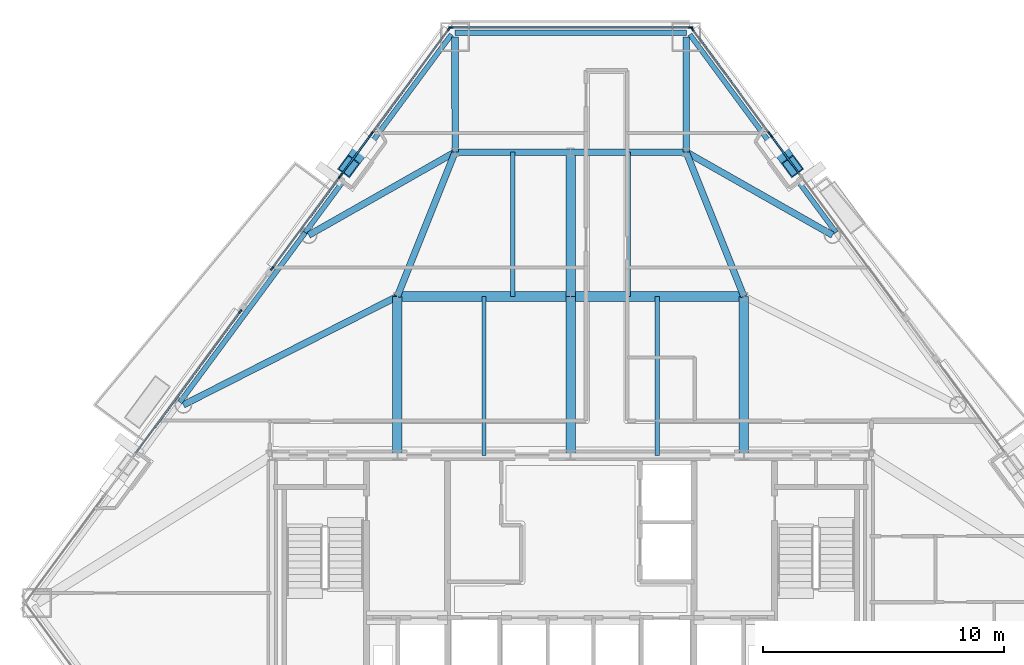
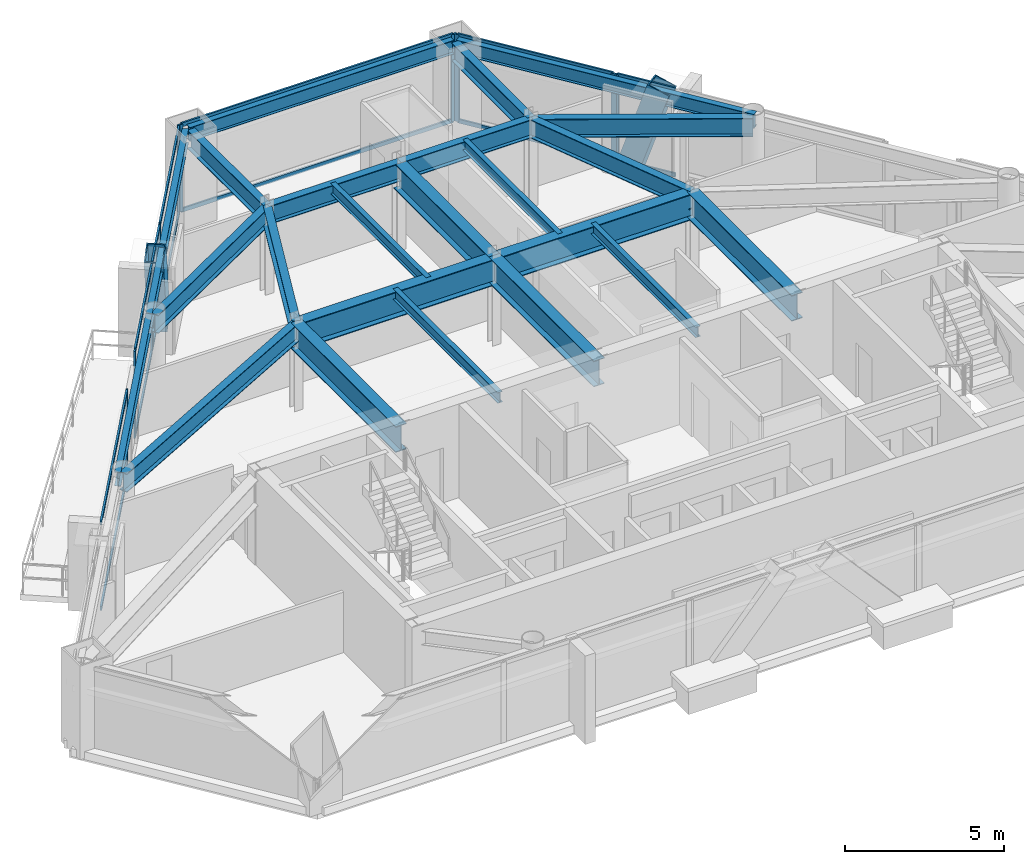
# One storey, part 4 of 11: 28 members, 23 beams, 7 elements without a shape of their own.
"""IFC4 building model written with IfcOpenShell, lengths in metres."""

from ifc_helpers import new_model, si_unit, direction, frame, origin, origin_2d, place, context, subcontext, project, spatial, rectangle, hollow_rectangle, i_section, extrude, material, layer, layer_set, material_profile, profile_set, type_object, element, aggregate, save


model = new_model("IFC4")

# Units and contexts
model_context = context("Model", 3, precision=1e-05, world=origin(), true_north=direction((0.0, 1.0)))
body_context = subcontext(model_context, "Body", "Model", "MODEL_VIEW")
ifc_project = project(units=[si_unit("LENGTHUNIT", "METRE"), si_unit("AREAUNIT", "SQUARE_METRE"), si_unit("VOLUMEUNIT", "CUBIC_METRE"), si_unit("PLANEANGLEUNIT", "RADIAN"), si_unit("MASSUNIT", "GRAM", prefix="KILO")], contexts=[model_context])

# Site, building, storey
site_placement = place(None, origin())
site = spatial("IfcSite", under=ifc_project, at=site_placement, CompositionType="ELEMENT")
building_placement = place(site_placement, origin())
building = spatial("IfcBuilding", under=site, at=building_placement, Name="Talgorran Terracotta Tower", CompositionType="ELEMENT")
storey_placement = place(building_placement, frame((0.0, 0.0, 147.300048828125)))
storey = spatial("IfcBuildingStorey", under=building, at=storey_placement, Name="L38", CompositionType="ELEMENT", Elevation=147.300048828125)

# Beams
ifc_material_1 = material(Name="Steel Grade 350 (350L0)", Category="steel")
ifc_material_profile_1 = material_profile(ifc_material_1, i_section(OverallWidth=0.39990234375, OverallDepth=1.0, WebThickness=0.01611328125, FlangeThickness=0.031005859375, at=origin_2d()), Name="1000WB296")
ifc_profile_set_1 = profile_set([ifc_material_profile_1], Name="Steel Grade 350 (350L0)")
beam_type_1 = type_object("IfcBeamType", Name="BM_1000WB296", PredefinedType="BEAM", material=ifc_profile_set_1)
for number, where, z_axis, x_axis, name in (
    (1, (-7.199951171875, -4.199951171875, 2.849853515625), (0.0, 1.0, 0.0), (-1.0, 0.0, 0.0), "L38 Floor Girder G01"),
    (2, (0.0, -4.199951171875, 2.849853515625), (0.0, 1.0, 0.0), (-1.0, 0.0, 0.0), "L38 Floor Girder G02"),
    (3, (7.199951171875, -4.199951171875, 2.849853515625), (0.0, 1.0, 0.0), (-1.0, 0.0, 0.0), "L38 Floor Girder G03"),
):
    element("IfcBeam", number, at=place(storey_placement, frame(where, z_axis=z_axis, x_axis=x_axis)), inside=storey, type_object=beam_type_1, Name=name, PredefinedType="BEAM", context=body_context, shape_type="SweptSolid", body=[
        extrude(i_section(OverallWidth=0.39990234375, OverallDepth=1.0, WebThickness=0.01611328125, FlangeThickness=0.031005859375, at=origin_2d()), origin(), (0.0, 0.0, 1.0), 6.599853515625),
    ])
for number, where, z_axis, x_axis, name in (
    (4, (-7.199951171875, 2.39990234375, 2.849853515625), (1.0, 0.0, 0.0), (0.0, 1.0, 0.0), "L38 Floor Girder G04"),
    (5, (0.0, 2.39990234375, 2.849853515625), (1.0, 0.0, 0.0), (0.0, 1.0, 0.0), "L38 Floor Girder G05"),
):
    element("IfcBeam", number, at=place(storey_placement, frame(where, z_axis=z_axis, x_axis=x_axis)), inside=storey, type_object=beam_type_1, Name=name, PredefinedType="BEAM", context=body_context, shape_type="SweptSolid", body=[
        extrude(i_section(OverallWidth=0.39990234375, OverallDepth=1.0, WebThickness=0.01611328125, FlangeThickness=0.031005859375, at=origin_2d()), origin(), (0.0, 0.0, 1.0), 7.199951171875),
    ])
beam_1_placement = place(storey_placement, frame((0.0, 2.39990234375, 2.849853515625), z_axis=(0.0, 1.0, 0.0), x_axis=(-1.0, 0.0, 0.0)))
element("IfcBeam", 6, at=beam_1_placement, inside=storey, type_object=beam_type_1, Name="L38 Floor Girder G09", PredefinedType="BEAM", context=body_context, shape_type="SweptSolid", body=[
    extrude(i_section(OverallWidth=0.39990234375, OverallDepth=1.0, WebThickness=0.01611328125, FlangeThickness=0.031005859375, at=origin_2d()), origin(), (0.0, 0.0, 1.0), 6.0),
])
ifc_material_2 = material(Name="Steel S355 (300PLUS)", Category="steel")
ifc_material_profile_2 = material_profile(ifc_material_2, i_section(OverallWidth=0.27490234375, OverallDepth=0.7080078125, WebThickness=0.011962890625, FlangeThickness=0.02490234375, at=origin_2d()), Name="700WB173")
ifc_profile_set_2 = profile_set([ifc_material_profile_2], Name="Steel S355 (300PLUS)")
beam_type_2 = type_object("IfcBeamType", Name="BM_700WB173", PredefinedType="BEAM", material=ifc_profile_set_2)
beam_2_placement = place(storey_placement, frame((-7.199951171875, 2.39990234375, 2.995849609375), z_axis=(-0.892122666424, -0.451793258087, 0.0), x_axis=(0.451793258087, -0.892122666424, 0.0)))
element("IfcBeam", 7, at=beam_2_placement, inside=storey, type_object=beam_type_2, Name="L38 Floor Girder G06", PredefinedType="BEAM", context=body_context, shape_type="SweptSolid", body=[
    extrude(i_section(OverallWidth=0.27490234375, OverallDepth=0.7080078125, WebThickness=0.011962890625, FlangeThickness=0.02490234375, at=origin_2d()), origin(), (0.0, 0.0, 1.0), 9.966796875),
])
for number, where, z_axis, x_axis, name in (
    (8, (-7.199951171875, 2.39990234375, 2.995849609375), (0.371377648723, 0.928481901832, 0.0), (-0.928481901832, 0.371377648723, 0.0), "L38 Floor Girder G08"),
    (9, (7.199951171875, 2.39990234375, 2.995849609375), (-0.371377648723, 0.928481901832, 0.0), (-0.928481901832, -0.371377648723, 0.0), "L38 Floor Girder G10"),
):
    element("IfcBeam", number, at=place(storey_placement, frame(where, z_axis=z_axis, x_axis=x_axis)), inside=storey, type_object=beam_type_2, Name=name, PredefinedType="BEAM", context=body_context, shape_type="SweptSolid", body=[
        extrude(i_section(OverallWidth=0.27490234375, OverallDepth=0.7080078125, WebThickness=0.011962890625, FlangeThickness=0.02490234375, at=origin_2d()), origin(), (0.0, 0.0, 1.0), 6.462158203125),
    ])
for number, where, z_axis, x_axis, name in (
    (10, (-4.800048828125, 8.39990234375, 2.995849609375), (1.0, 0.0, 0.0), (0.0, 1.0, 0.0), "L38 Floor Girder G11"),
    (11, (0.0, 8.39990234375, 2.995849609375), (1.0, 0.0, 0.0), (0.0, 1.0, 0.0), "L38 Floor Girder G12"),
):
    element("IfcBeam", number, at=place(storey_placement, frame(where, z_axis=z_axis, x_axis=x_axis)), inside=storey, type_object=beam_type_2, Name=name, PredefinedType="BEAM", context=body_context, shape_type="SweptSolid", body=[
        extrude(i_section(OverallWidth=0.27490234375, OverallDepth=0.7080078125, WebThickness=0.011962890625, FlangeThickness=0.02490234375, at=origin_2d()), origin(), (0.0, 0.0, 1.0), 4.800048828125),
    ])
for number, where, z_axis, x_axis, name in (
    (12, (-4.800048828125, 8.39990234375, 2.995849609375), (-0.869819954878, -0.493369279644, 0.0), (0.493369279644, -0.869819954878, 0.0), "L38 Floor Girder G13"),
    (13, (4.800048828125, 8.39990234375, 2.995849609375), (0.869819954878, -0.493369279644, 0.0), (0.493369279644, 0.869819954878, 0.0), "L38 Floor Girder G14"),
):
    element("IfcBeam", number, at=place(storey_placement, frame(where, z_axis=z_axis, x_axis=x_axis)), inside=storey, type_object=beam_type_2, Name=name, PredefinedType="BEAM", context=body_context, shape_type="SweptSolid", body=[
        extrude(i_section(OverallWidth=0.27490234375, OverallDepth=0.7080078125, WebThickness=0.011962890625, FlangeThickness=0.02490234375, at=origin_2d()), origin(), (0.0, 0.0, 1.0), 6.9931640625),
    ])
for number, where, z_axis, x_axis, name in (
    (14, (-4.800048828125, 8.39990234375, 2.995849609375), (-0.001277399193, 0.999999184125, 0.0), (-0.999999184125, -0.001277399193, 0.0), "L38 Floor Girder G15"),
    (15, (4.800048828125, 8.39990234375, 2.995849609375), (0.001277399193, 0.999999184125, 0.0), (-0.999999184125, 0.001277399193, 0.0), "L38 Floor Girder G16"),
):
    element("IfcBeam", number, at=place(storey_placement, frame(where, z_axis=z_axis, x_axis=x_axis)), inside=storey, type_object=beam_type_2, Name=name, PredefinedType="BEAM", context=body_context, shape_type="SweptSolid", body=[
        extrude(i_section(OverallWidth=0.27490234375, OverallDepth=0.7080078125, WebThickness=0.011962890625, FlangeThickness=0.02490234375, at=origin_2d()), origin(), (0.0, 0.0, 1.0), 4.778076171875),
    ])
ifc_material_profile_3 = material_profile(ifc_material_2, i_section(OverallWidth=0.177734375, OverallDepth=0.406494140625, WebThickness=0.0078125, FlangeThickness=0.0126953125, at=origin_2d()), Name="410UB59.7")
ifc_profile_set_3 = profile_set([ifc_material_profile_3], Name="Steel S355 (300PLUS)")
beam_type_3 = type_object("IfcBeamType", Name="BM_JS_410UB60", PredefinedType="JOIST", material=ifc_profile_set_3)
for number, where, z_axis, x_axis, name in (
    (16, (-3.60009765625, -4.199951171875, 3.146728515625), (0.0, 1.0, 0.0), (-1.0, 0.0, 0.0), "L38 Secondary Joist J01"),
    (17, (3.60009765625, -4.199951171875, 3.146728515625), (0.0, 1.0, 0.0), (-1.0, 0.0, 0.0), "L38 Secondary Joist J02"),
):
    element("IfcBeam", number, at=place(storey_placement, frame(where, z_axis=z_axis, x_axis=x_axis)), inside=storey, type_object=beam_type_3, Name=name, PredefinedType="JOIST", context=body_context, shape_type="SweptSolid", body=[
        extrude(i_section(OverallWidth=0.177734375, OverallDepth=0.406494140625, WebThickness=0.0078125, FlangeThickness=0.0126953125, at=origin_2d()), origin(), (0.0, 0.0, 1.0), 6.599853515625),
    ])
for number, where, z_axis, x_axis, name in (
    (18, (-2.39990234375, 2.39990234375, 3.146728515625), (0.0, 1.0, 0.0), (-1.0, 0.0, 0.0), "L38 Secondary Joist J03"),
    (19, (2.39990234375, 2.39990234375, 3.146728515625), (0.0, 1.0, 0.0), (-1.0, 0.0, 0.0), "L38 Secondary Joist J04"),
):
    element("IfcBeam", number, at=place(storey_placement, frame(where, z_axis=z_axis, x_axis=x_axis)), inside=storey, type_object=beam_type_3, Name=name, PredefinedType="JOIST", context=body_context, shape_type="SweptSolid", body=[
        extrude(i_section(OverallWidth=0.177734375, OverallDepth=0.406494140625, WebThickness=0.0078125, FlangeThickness=0.0126953125, at=origin_2d()), origin(), (0.0, 0.0, 1.0), 6.0),
    ])
ifc_material_profile_4 = material_profile(ifc_material_2, i_section(OverallWidth=0.209228515625, OverallDepth=0.532958984375, WebThickness=0.01025390625, FlangeThickness=0.015625, at=origin_2d()), Name="530UB92.4")
ifc_profile_set_4 = profile_set([ifc_material_profile_4], Name="Steel S355 (300PLUS)")
beam_type_4 = type_object("IfcBeamType", Name="BM_SP_530UB92", PredefinedType="SPANDREL", material=ifc_profile_set_4)
beam_3_placement = place(storey_placement, frame((11.027587890625, 5.056640625, 3.08349609375), z_axis=(-0.594068215055, 0.804414666613, 0.0), x_axis=(-0.804414666613, -0.594068215055, 0.0)))
element("IfcBeam", 20, at=beam_3_placement, inside=storey, type_object=beam_type_4, Name="L38 Perimeter Spandrel Beam FC4-MC5", PredefinedType="SPANDREL", context=body_context, shape_type="SweptSolid", body=[
    extrude(i_section(OverallWidth=0.209228515625, OverallDepth=0.532958984375, WebThickness=0.01025390625, FlangeThickness=0.015625, at=origin_2d()), origin(), (0.0, 0.0, 1.0), 10.22900390625),
])
beam_4_placement = place(storey_placement, frame((4.80615234375, 13.35791015625, 3.08349609375), z_axis=(-1.0, 0.0, 0.0), x_axis=(0.0, -1.0, 0.0)))
element("IfcBeam", 21, at=beam_4_placement, inside=storey, type_object=beam_type_4, Name="L38 Perimeter Spandrel Beam MC5-MC6", PredefinedType="SPANDREL", context=body_context, shape_type="SweptSolid", body=[
    extrude(i_section(OverallWidth=0.209228515625, OverallDepth=0.532958984375, WebThickness=0.01025390625, FlangeThickness=0.015625, at=origin_2d()), origin(), (0.0, 0.0, 1.0), 9.6123046875),
])
beam_5_placement = place(storey_placement, frame((-4.950927734375, 13.284912109375, 3.08349609375), z_axis=(-0.594068215055, -0.804414666613, 0.0), x_axis=(0.804414666613, -0.594068215055, 0.0)))
element("IfcBeam", 22, at=beam_5_placement, inside=storey, type_object=beam_type_4, Name="L38 Perimeter Spandrel Beam MC6-FC5", PredefinedType="SPANDREL", context=body_context, shape_type="SweptSolid", body=[
    extrude(i_section(OverallWidth=0.209228515625, OverallDepth=0.532958984375, WebThickness=0.01025390625, FlangeThickness=0.015625, at=origin_2d()), origin(), (0.0, 0.0, 1.0), 10.22900390625),
])
beam_6_placement = place(storey_placement, frame((-11.027587890625, 5.056640625, 3.08349609375), z_axis=(-0.594084887131, -0.804402353852, 0.0), x_axis=(0.804402353852, -0.594084887131, 0.0)))
element("IfcBeam", 23, at=beam_6_placement, inside=storey, type_object=beam_type_4, Name="L38 Perimeter Spandrel Beam FC5-FC6", PredefinedType="SPANDREL", context=body_context, shape_type="SweptSolid", body=[
    extrude(i_section(OverallWidth=0.209228515625, OverallDepth=0.532958984375, WebThickness=0.01025390625, FlangeThickness=0.015625, at=origin_2d()), origin(), (0.0, 0.0, 1.0), 8.767578125),
])

# Members
ifc_material_profile_5 = material_profile(ifc_material_1, hollow_rectangle(XDim=0.6201171875, YDim=0.780029296875, WallThickness=0.0419921875, at=origin_2d()), Name="WBOX780X620X42")
ifc_profile_set_5 = profile_set([ifc_material_profile_5], Name="Steel Grade 350 (350L0)")
member_type_1 = type_object("IfcMemberType", Name="MB_MEGA_780", PredefinedType="BRACE", material=ifc_profile_set_5)
for number, where, z_axis, x_axis, name in (
    (24, (8.56640625, 8.6923828125, -0.025146484375), (0.182509802878, -0.247150114942, 0.951633854241), (0.80443490203, 0.594040813747, 0.0), "L38 Exterior Face Mega-Brace MB-2 (NEU)"),
    (25, (-8.56640625, 8.6923828125, -0.025146484375), (-0.182509802878, -0.247150114942, 0.951633854241), (0.80443490203, -0.594040813747, 0.0), "L38 Exterior Face Mega-Brace MB-2 (NWU)"),
):
    element("IfcMember", number, at=place(storey_placement, frame(where, z_axis=z_axis, x_axis=x_axis)), inside=storey, type_object=member_type_1, Name=name, PredefinedType="BRACE", context=body_context, shape_type="SweptSolid", body=[
        extrude(hollow_rectangle(XDim=0.6201171875, YDim=0.780029296875, WallThickness=0.0419921875, at=origin_2d()), origin(), (0.0, 0.0, 1.0), 3.572998046875),
    ])

# Curtain wall, member
ifc_material_3 = material(Name="Unitised Low-E Double Glazing", Category="glass")
ifc_layer = layer(ifc_material_3, 0.199951171875, Name="CW_SYS2_RES_LOW")
ifc_layer_set = layer_set([ifc_layer], Name="Unitised Low-E Double Glazing")
curtain_wall_type = type_object("IfcCurtainWallType", Name="CW_SYS2_RES_LOW", PredefinedType="NOTDEFINED", material=ifc_layer_set)
curtain_wall_1_placement = place(storey_placement, origin())
curtain_wall_1 = element("IfcCurtainWall", 26, at=curtain_wall_1_placement, inside=storey, type_object=curtain_wall_type, Name="CW-L38-F41B", PredefinedType="NOTDEFINED")
ifc_material_4 = material(Name="Architectural Aluminium 6063-T6", Category="aluminium")
ifc_material_profile_6 = material_profile(ifc_material_4, rectangle(XDim=0.06494140625, YDim=0.18505859375, at=origin_2d()), Name="CWM65X185")
ifc_profile_set_6 = profile_set([ifc_material_profile_6], Name="Architectural Aluminium 6063-T6")
member_type_2 = type_object("IfcMemberType", Name="MUL_65X185", PredefinedType="MULLION", material=ifc_profile_set_6)
member_1_placement = place(storey_placement, frame((8.311279296875, 9.105224609375, 0.0), z_axis=(0.0, 0.0, 1.0), x_axis=(-0.804417046158, -0.594064992951, 0.0)))
member_1 = element("IfcMember", 27, at=member_1_placement, type_object=member_type_2, Name="CW-L38-41B mullion 2", PredefinedType="MULLION", context=body_context, shape_type="SweptSolid", body=[
    extrude(rectangle(XDim=0.06494140625, YDim=0.18505859375, at=origin_2d()), origin(), (0.0, 0.0, 1.0), 3.349853515625),
])

# Curtain wall, members
curtain_wall_2_placement = place(storey_placement, origin())
curtain_wall_2 = element("IfcCurtainWall", 28, at=curtain_wall_2_placement, inside=storey, type_object=curtain_wall_type, Name="CW-L38-F41C", PredefinedType="NOTDEFINED")
member_2_placement = place(storey_placement, frame((8.2666015625, 9.16552734375, 0.0), z_axis=(0.0, 0.0, 1.0), x_axis=(-0.804414342271, -0.594068654238, 0.0)))
member_2 = element("IfcMember", 29, at=member_2_placement, type_object=member_type_2, Name="CW-L38-41C mullion 1", PredefinedType="MULLION", context=body_context, shape_type="SweptSolid", body=[
    extrude(rectangle(XDim=0.06494140625, YDim=0.18505859375, at=origin_2d()), origin(), (0.0, 0.0, 1.0), 3.349853515625),
])
member_3_placement = place(storey_placement, frame((5.051025390625, 13.51953125, 0.0), z_axis=(0.0, 0.0, 1.0), x_axis=(-0.804414342271, -0.594068654238, 0.0)))
member_3 = element("IfcMember", 30, at=member_3_placement, type_object=member_type_2, Name="CW-L38-41C mullion 2", PredefinedType="MULLION", context=body_context, shape_type="SweptSolid", body=[
    extrude(rectangle(XDim=0.06494140625, YDim=0.18505859375, at=origin_2d()), origin(), (0.0, 0.0, 1.0), 3.349853515625),
])

curtain_wall_3_placement = place(storey_placement, origin())
curtain_wall_3 = element("IfcCurtainWall", 31, at=curtain_wall_3_placement, inside=storey, type_object=curtain_wall_type, Name="CW-L38-F4", PredefinedType="NOTDEFINED")
member_4_placement = place(storey_placement, frame((4.9755859375, 13.577880859375, 0.0), z_axis=(0.0, 0.0, 1.0), x_axis=(0.0, -1.0, 0.0)))
member_4 = element("IfcMember", 32, at=member_4_placement, type_object=member_type_2, Name="CW-L38-4 mullion 1", PredefinedType="MULLION", context=body_context, shape_type="SweptSolid", body=[
    extrude(rectangle(XDim=0.06494140625, YDim=0.18505859375, at=origin_2d()), origin(), (0.0, 0.0, 1.0), 3.349853515625),
])
member_5_placement = place(storey_placement, frame((-4.9755859375, 13.577880859375, 0.0), z_axis=(0.0, 0.0, 1.0), x_axis=(0.0, -1.0, 0.0)))
member_5 = element("IfcMember", 33, at=member_5_placement, type_object=member_type_2, Name="CW-L38-4 mullion 2", PredefinedType="MULLION", context=body_context, shape_type="SweptSolid", body=[
    extrude(rectangle(XDim=0.06494140625, YDim=0.18505859375, at=origin_2d()), origin(), (0.0, 0.0, 1.0), 3.349853515625),
])

curtain_wall_4_placement = place(storey_placement, origin())
curtain_wall_4 = element("IfcCurtainWall", 34, at=curtain_wall_4_placement, inside=storey, type_object=curtain_wall_type, Name="CW-L38-F60", PredefinedType="NOTDEFINED")
member_6_placement = place(storey_placement, frame((-5.051025390625, 13.51953125, 0.0), z_axis=(0.0, 0.0, 1.0), x_axis=(0.804414342271, -0.594068654238, 0.0)))
member_6 = element("IfcMember", 35, at=member_6_placement, type_object=member_type_2, Name="CW-L38-60 mullion 1", PredefinedType="MULLION", context=body_context, shape_type="SweptSolid", body=[
    extrude(rectangle(XDim=0.06494140625, YDim=0.18505859375, at=origin_2d()), origin(), (0.0, 0.0, 1.0), 3.349853515625),
])
member_7_placement = place(storey_placement, frame((-8.2666015625, 9.16552734375, 0.0), z_axis=(0.0, 0.0, 1.0), x_axis=(0.804414342271, -0.594068654238, 0.0)))
member_7 = element("IfcMember", 36, at=member_7_placement, type_object=member_type_2, Name="CW-L38-60 mullion 2", PredefinedType="MULLION", context=body_context, shape_type="SweptSolid", body=[
    extrude(rectangle(XDim=0.06494140625, YDim=0.18505859375, at=origin_2d()), origin(), (0.0, 0.0, 1.0), 3.349853515625),
])

curtain_wall_5_placement = place(storey_placement, origin())
curtain_wall_5 = element("IfcCurtainWall", 37, at=curtain_wall_5_placement, inside=storey, type_object=curtain_wall_type, Name="CW-L38-F60B", PredefinedType="NOTDEFINED")
member_8_placement = place(storey_placement, frame((-8.311279296875, 9.105224609375, 0.0), z_axis=(0.0, 0.0, 1.0), x_axis=(0.804439479194, -0.594034615418, 0.0)))
member_8 = element("IfcMember", 38, at=member_8_placement, type_object=member_type_2, Name="CW-L38-60B mullion 1", PredefinedType="MULLION", context=body_context, shape_type="SweptSolid", body=[
    extrude(rectangle(XDim=0.06494140625, YDim=0.18505859375, at=origin_2d()), origin(), (0.0, 0.0, 1.0), 3.349853515625),
])
member_9_placement = place(storey_placement, frame((-9.5380859375, 7.44384765625, 0.0), z_axis=(0.0, 0.0, 1.0), x_axis=(0.804439479194, -0.594034615418, 0.0)))
member_9 = element("IfcMember", 39, at=member_9_placement, type_object=member_type_2, Name="CW-L38-60B mullion 2", PredefinedType="MULLION", context=body_context, shape_type="SweptSolid", body=[
    extrude(rectangle(XDim=0.06494140625, YDim=0.18505859375, at=origin_2d()), origin(), (0.0, 0.0, 1.0), 3.349853515625),
])

curtain_wall_6_placement = place(storey_placement, origin())
curtain_wall_6 = element("IfcCurtainWall", 40, at=curtain_wall_6_placement, inside=storey, type_object=curtain_wall_type, Name="CW-L38-F60C", PredefinedType="NOTDEFINED")
member_10_placement = place(storey_placement, frame((-9.58251953125, 7.383544921875, 0.0), z_axis=(0.0, 0.0, 1.0), x_axis=(0.804414789421, -0.594068048763, 0.0)))
member_10 = element("IfcMember", 41, at=member_10_placement, type_object=member_type_2, Name="CW-L38-60C mullion 1", PredefinedType="MULLION", context=body_context, shape_type="SweptSolid", body=[
    extrude(rectangle(XDim=0.06494140625, YDim=0.18505859375, at=origin_2d()), origin(), (0.0, 0.0, 1.0), 3.349853515625),
])
member_11_placement = place(storey_placement, frame((-12.404052734375, 3.563232421875, 0.0), z_axis=(0.0, 0.0, 1.0), x_axis=(0.804414789421, -0.594068048763, 0.0)))
member_11 = element("IfcMember", 42, at=member_11_placement, type_object=member_type_2, Name="CW-L38-60C mullion 2", PredefinedType="MULLION", context=body_context, shape_type="SweptSolid", body=[
    extrude(rectangle(XDim=0.06494140625, YDim=0.18505859375, at=origin_2d()), origin(), (0.0, 0.0, 1.0), 3.349853515625),
])

# Curtain wall, member
curtain_wall_7_placement = place(storey_placement, origin())
curtain_wall_7 = element("IfcCurtainWall", 43, at=curtain_wall_7_placement, inside=storey, type_object=curtain_wall_type, Name="CW-L38-F61", PredefinedType="NOTDEFINED")
member_12_placement = place(storey_placement, frame((-13.72607421875, 1.7734375, 0.0), z_axis=(0.0, 0.0, 1.0), x_axis=(0.804408240756, -0.594076916067, 0.0)))
member_12 = element("IfcMember", 44, at=member_12_placement, type_object=member_type_2, Name="CW-L38-61 mullion 1", PredefinedType="MULLION", context=body_context, shape_type="SweptSolid", body=[
    extrude(rectangle(XDim=0.06494140625, YDim=0.18505859375, at=origin_2d()), origin(), (0.0, 0.0, 1.0), 3.349853515625),
])

# Member
ifc_material_profile_7 = material_profile(ifc_material_4, rectangle(XDim=0.06494140625, YDim=0.14990234375, at=origin_2d()), Name="CWT65X150")
ifc_profile_set_7 = profile_set([ifc_material_profile_7], Name="Architectural Aluminium 6063-T6")
member_type_3 = type_object("IfcMemberType", Name="TRN_65X150", PredefinedType="USERDEFINED", material=ifc_profile_set_7)
member_13_placement = place(storey_placement, frame((9.518798828125, 7.469970703125, 0.032470703125), z_axis=(-0.594027231506, 0.804444931757, 0.0), x_axis=(-0.804444931757, -0.594027231506, 0.0)))
member_13 = element("IfcMember", 45, at=member_13_placement, type_object=member_type_3, Name="CW-L38-41B transom 1.1", ObjectType="TRANSOM", PredefinedType="USERDEFINED", context=body_context, shape_type="SweptSolid", body=[
    extrude(rectangle(XDim=0.06494140625, YDim=0.14990234375, at=origin_2d()), origin(), (0.0, 0.0, 1.0), 2.000244140625),
])

member_14_placement = place(storey_placement, frame((9.518798828125, 7.469970703125, 3.3173828125), z_axis=(-0.594027231506, 0.804444931757, 0.0), x_axis=(-0.804444931757, -0.594027231506, 0.0)))
member_14 = element("IfcMember", 46, at=member_14_placement, type_object=member_type_3, Name="CW-L38-41B transom 1.2", ObjectType="TRANSOM", PredefinedType="USERDEFINED", context=body_context, shape_type="SweptSolid", body=[
    extrude(rectangle(XDim=0.06494140625, YDim=0.14990234375, at=origin_2d()), origin(), (0.0, 0.0, 1.0), 2.000244140625),
])

aggregate(curtain_wall_1, [member_1, member_13, member_14])

member_15_placement = place(storey_placement, frame((8.247314453125, 9.191650390625, 0.032470703125), z_axis=(-0.594081659859, 0.804404737318, 0.0), x_axis=(-0.804404737318, -0.594081659859, 0.0)))
member_15 = element("IfcMember", 47, at=member_15_placement, type_object=member_type_3, Name="CW-L38-41C transom 1.1", ObjectType="TRANSOM", PredefinedType="USERDEFINED", context=body_context, shape_type="SweptSolid", body=[
    extrude(rectangle(XDim=0.06494140625, YDim=0.14990234375, at=origin_2d()), origin(), (0.0, 0.0, 1.0), 5.34765625),
])

member_16_placement = place(storey_placement, frame((8.247314453125, 9.191650390625, 3.3173828125), z_axis=(-0.594081659859, 0.804404737318, 0.0), x_axis=(-0.804404737318, -0.594081659859, 0.0)))
member_16 = element("IfcMember", 48, at=member_16_placement, type_object=member_type_3, Name="CW-L38-41C transom 1.2", ObjectType="TRANSOM", PredefinedType="USERDEFINED", context=body_context, shape_type="SweptSolid", body=[
    extrude(rectangle(XDim=0.06494140625, YDim=0.14990234375, at=origin_2d()), origin(), (0.0, 0.0, 1.0), 5.34765625),
])

aggregate(curtain_wall_2, [member_2, member_3, member_15, member_16])

member_17_placement = place(storey_placement, frame((4.943115234375, 13.577880859375, 0.032470703125), z_axis=(-1.0, 0.0, 0.0), x_axis=(0.0, -1.0, 0.0)))
member_17 = element("IfcMember", 49, at=member_17_placement, type_object=member_type_3, Name="CW-L38-4 transom 1.1", ObjectType="TRANSOM", PredefinedType="USERDEFINED", context=body_context, shape_type="SweptSolid", body=[
    extrude(rectangle(XDim=0.06494140625, YDim=0.14990234375, at=origin_2d()), origin(), (0.0, 0.0, 1.0), 9.88623046875),
])

member_18_placement = place(storey_placement, frame((4.943115234375, 13.577880859375, 3.3173828125), z_axis=(-1.0, 0.0, 0.0), x_axis=(0.0, -1.0, 0.0)))
member_18 = element("IfcMember", 50, at=member_18_placement, type_object=member_type_3, Name="CW-L38-4 transom 1.2", ObjectType="TRANSOM", PredefinedType="USERDEFINED", context=body_context, shape_type="SweptSolid", body=[
    extrude(rectangle(XDim=0.06494140625, YDim=0.14990234375, at=origin_2d()), origin(), (0.0, 0.0, 1.0), 9.88623046875),
])

aggregate(curtain_wall_3, [member_4, member_5, member_17, member_18])

member_19_placement = place(storey_placement, frame((-5.0703125, 13.493408203125, 0.032470703125), z_axis=(-0.594081659859, -0.804404737318, 0.0), x_axis=(0.804404737318, -0.594081659859, 0.0)))
member_19 = element("IfcMember", 51, at=member_19_placement, type_object=member_type_3, Name="CW-L38-60 transom 1.1", ObjectType="TRANSOM", PredefinedType="USERDEFINED", context=body_context, shape_type="SweptSolid", body=[
    extrude(rectangle(XDim=0.06494140625, YDim=0.14990234375, at=origin_2d()), origin(), (0.0, 0.0, 1.0), 5.34765625),
])

member_20_placement = place(storey_placement, frame((-5.0703125, 13.493408203125, 3.3173828125), z_axis=(-0.594081659859, -0.804404737318, 0.0), x_axis=(0.804404737318, -0.594081659859, 0.0)))
member_20 = element("IfcMember", 52, at=member_20_placement, type_object=member_type_3, Name="CW-L38-60 transom 1.2", ObjectType="TRANSOM", PredefinedType="USERDEFINED", context=body_context, shape_type="SweptSolid", body=[
    extrude(rectangle(XDim=0.06494140625, YDim=0.14990234375, at=origin_2d()), origin(), (0.0, 0.0, 1.0), 5.34765625),
])

aggregate(curtain_wall_4, [member_6, member_7, member_19, member_20])

member_21_placement = place(storey_placement, frame((-8.33056640625, 9.0791015625, 0.032470703125), z_axis=(-0.594027231506, -0.804444931757, 0.0), x_axis=(0.804444931757, -0.594027231506, 0.0)))
member_21 = element("IfcMember", 53, at=member_21_placement, type_object=member_type_3, Name="CW-L38-60B transom 1.1", ObjectType="TRANSOM", PredefinedType="USERDEFINED", context=body_context, shape_type="SweptSolid", body=[
    extrude(rectangle(XDim=0.06494140625, YDim=0.14990234375, at=origin_2d()), origin(), (0.0, 0.0, 1.0), 2.000244140625),
])

member_22_placement = place(storey_placement, frame((-8.33056640625, 9.0791015625, 3.3173828125), z_axis=(-0.594027231506, -0.804444931757, 0.0), x_axis=(0.804444931757, -0.594027231506, 0.0)))
member_22 = element("IfcMember", 54, at=member_22_placement, type_object=member_type_3, Name="CW-L38-60B transom 1.2", ObjectType="TRANSOM", PredefinedType="USERDEFINED", context=body_context, shape_type="SweptSolid", body=[
    extrude(rectangle(XDim=0.06494140625, YDim=0.14990234375, at=origin_2d()), origin(), (0.0, 0.0, 1.0), 2.000244140625),
])

aggregate(curtain_wall_5, [member_8, member_9, member_21, member_22])

member_23_placement = place(storey_placement, frame((-9.601806640625, 7.357421875, 0.032470703125), z_axis=(-0.594096470005, -0.804393799285, 0.0), x_axis=(0.804393799285, -0.594096470005, 0.0)))
member_23 = element("IfcMember", 55, at=member_23_placement, type_object=member_type_3, Name="CW-L38-60C transom 1.1", ObjectType="TRANSOM", PredefinedType="USERDEFINED", context=body_context, shape_type="SweptSolid", body=[
    extrude(rectangle(XDim=0.06494140625, YDim=0.14990234375, at=origin_2d()), origin(), (0.0, 0.0, 1.0), 4.684326171875),
])

member_24_placement = place(storey_placement, frame((-9.601806640625, 7.357421875, 3.3173828125), z_axis=(-0.594096470005, -0.804393799285, 0.0), x_axis=(0.804393799285, -0.594096470005, 0.0)))
member_24 = element("IfcMember", 56, at=member_24_placement, type_object=member_type_3, Name="CW-L38-60C transom 1.2", ObjectType="TRANSOM", PredefinedType="USERDEFINED", context=body_context, shape_type="SweptSolid", body=[
    extrude(rectangle(XDim=0.06494140625, YDim=0.14990234375, at=origin_2d()), origin(), (0.0, 0.0, 1.0), 4.684326171875),
])

aggregate(curtain_wall_6, [member_10, member_11, member_23, member_24])

member_25_placement = place(storey_placement, frame((-13.745361328125, 1.747314453125, 0.032470703125), z_axis=(-0.59407577735, -0.804409081728, 0.0), x_axis=(0.804409081728, -0.59407577735, 0.0)))
member_25 = element("IfcMember", 57, at=member_25_placement, type_object=member_type_3, Name="CW-L38-61 transom 1.1", ObjectType="TRANSOM", PredefinedType="USERDEFINED", context=body_context, shape_type="SweptSolid", body=[
    extrude(rectangle(XDim=0.06494140625, YDim=0.14990234375, at=origin_2d()), origin(), (0.0, 0.0, 1.0), 7.273193359375),
])

member_26_placement = place(storey_placement, frame((-13.745361328125, 1.747314453125, 3.3173828125), z_axis=(-0.59407577735, -0.804409081728, 0.0), x_axis=(0.804409081728, -0.59407577735, 0.0)))
member_26 = element("IfcMember", 58, at=member_26_placement, type_object=member_type_3, Name="CW-L38-61 transom 1.2", ObjectType="TRANSOM", PredefinedType="USERDEFINED", context=body_context, shape_type="SweptSolid", body=[
    extrude(rectangle(XDim=0.06494140625, YDim=0.14990234375, at=origin_2d()), origin(), (0.0, 0.0, 1.0), 7.273193359375),
])

aggregate(curtain_wall_7, [member_12, member_25, member_26])

save(model, "model.ifc")
